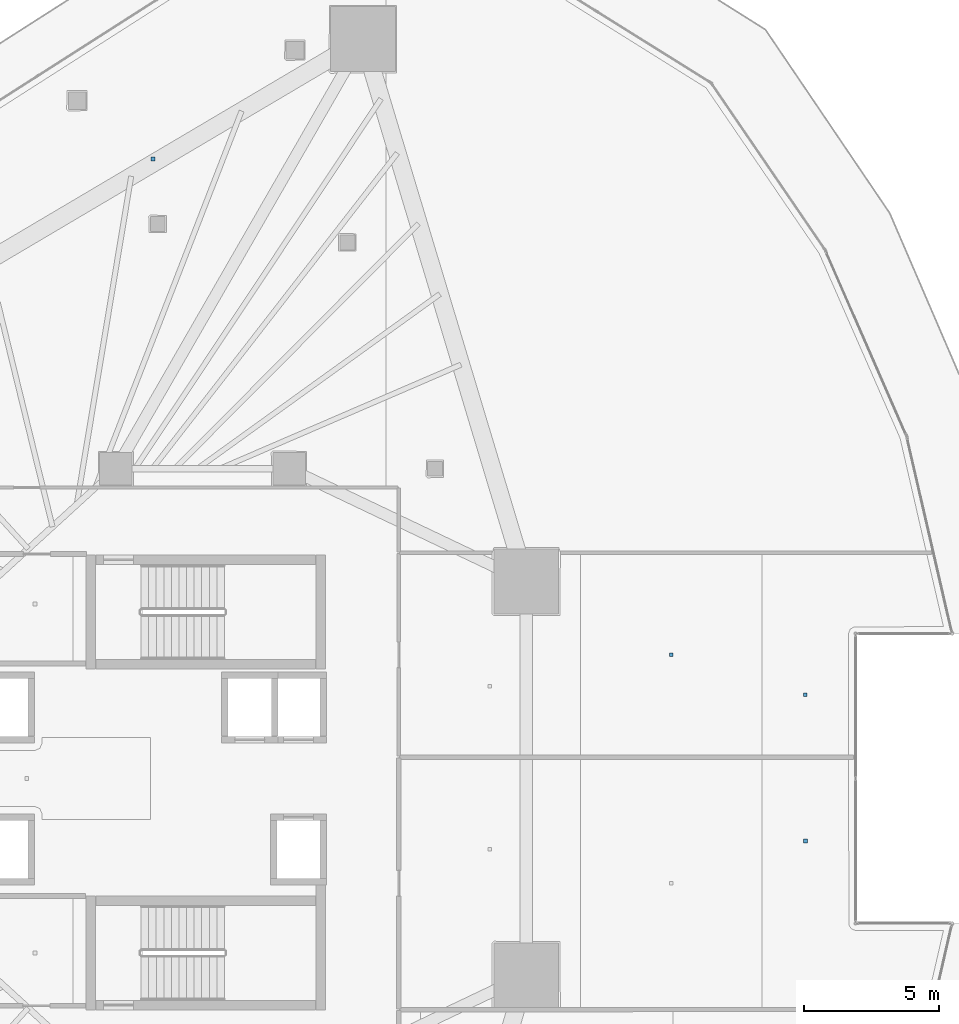
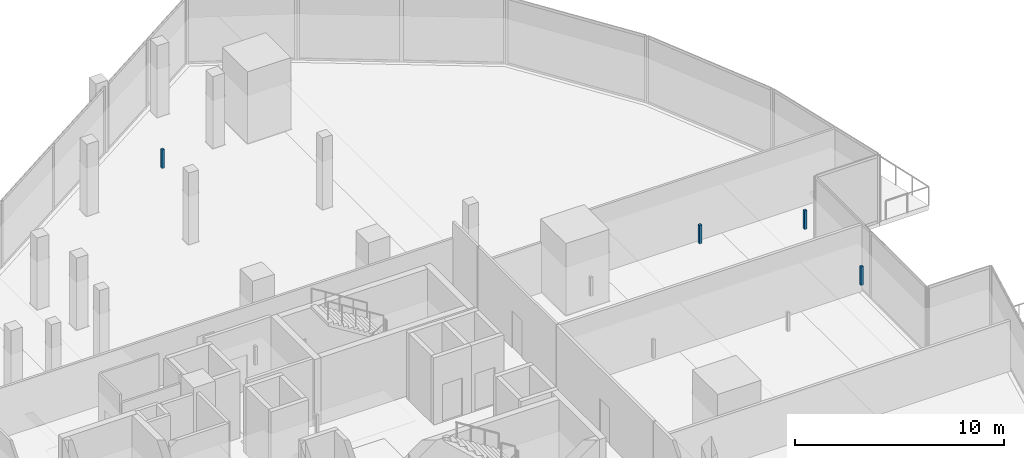
# One storey, part 34 of 44: 4 discrete accessories.
"""IFC4 building model written with IfcOpenShell, lengths in metres."""

from ifc_helpers import new_model, si_unit, direction, frame, origin, origin_2d, place, context, subcontext, project, spatial, rectangle, extrude, material, type_object, element, save


model = new_model("IFC4")

# Units and contexts
model_context = context("Model", 3, precision=1e-05, world=origin(), true_north=direction((0.0, 1.0)))
body_context = subcontext(model_context, "Body", "Model", "MODEL_VIEW")
ifc_project = project(units=[si_unit("LENGTHUNIT", "METRE"), si_unit("AREAUNIT", "SQUARE_METRE"), si_unit("VOLUMEUNIT", "CUBIC_METRE"), si_unit("PLANEANGLEUNIT", "RADIAN"), si_unit("MASSUNIT", "GRAM", prefix="KILO")], contexts=[model_context])

# Site, building, storey
site_placement = place(None, origin())
site = spatial("IfcSite", under=ifc_project, at=site_placement, CompositionType="ELEMENT")
building_placement = place(site_placement, origin())
building = spatial("IfcBuilding", under=site, at=building_placement, Name="Qorvath Tower", CompositionType="ELEMENT")
storey_placement = place(building_placement, frame((0.0, 0.0, 40.800048828125)))
storey = spatial("IfcBuildingStorey", under=building, at=storey_placement, Name="L08", CompositionType="ELEMENT", Elevation=40.800048828125)

# Discrete accessories
ifc_material = material(Name="Galvanised steel bracket", Category="steel")
discrete_accessory_type = type_object("IfcDiscreteAccessoryType", Name="DA-BRACKET", PredefinedType="BRACKET", material=ifc_material)
for number, where, z_axis, x_axis, name in (
    (1, (-22.226318359375, 22.900390625, 2.85986328125), (0.0, 0.0, 1.0), (1.0, 0.0, 0.0), "Acoustic Ceiling Suspension Hanger T1-L08-011"),
    (2, (1.886962890625, -2.3095703125, 2.85986328125), (0.0, 0.0, 1.0), (1.0, 0.0, 0.0), "Acoustic Ceiling Suspension Hanger T1-L08-024"),
    (3, (-3.071533203125, 4.570556640625, 2.85986328125), (0.0, 0.0, 1.0), (1.0, 0.0, 0.0), "Acoustic Ceiling Suspension Hanger T1-L08-026"),
    (4, (1.885986328125, 3.0927734375, 2.85986328125), (0.0, 0.0, 1.0), (1.0, 0.0, 0.0), "Acoustic Ceiling Suspension Hanger T1-L08-027"),
):
    element("IfcDiscreteAccessory", number, at=place(storey_placement, frame(where, z_axis=z_axis, x_axis=x_axis)), inside=storey, type_object=discrete_accessory_type, Name=name, PredefinedType="NOTDEFINED", context=body_context, shape_type="SweptSolid", body=[
        extrude(rectangle(XDim=0.139892578125, YDim=0.139892578125, at=origin_2d()), origin(), (0.0, 0.0, 1.0), 1.090087890625),
    ])

save(model, "model.ifc")
